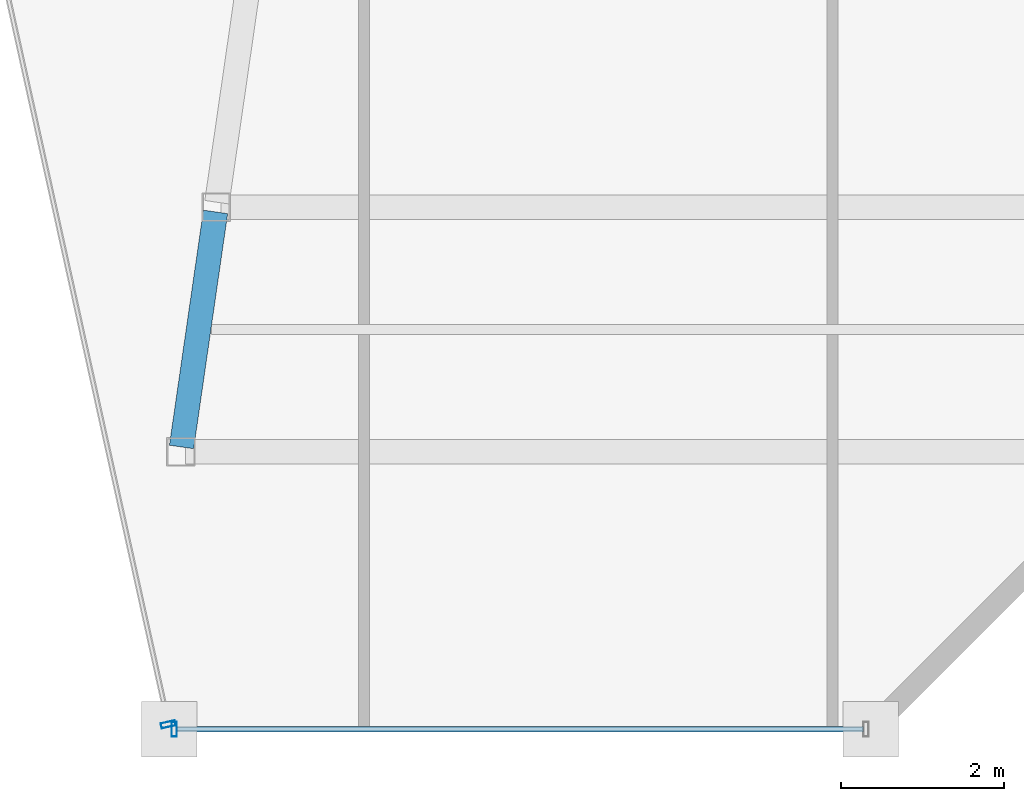
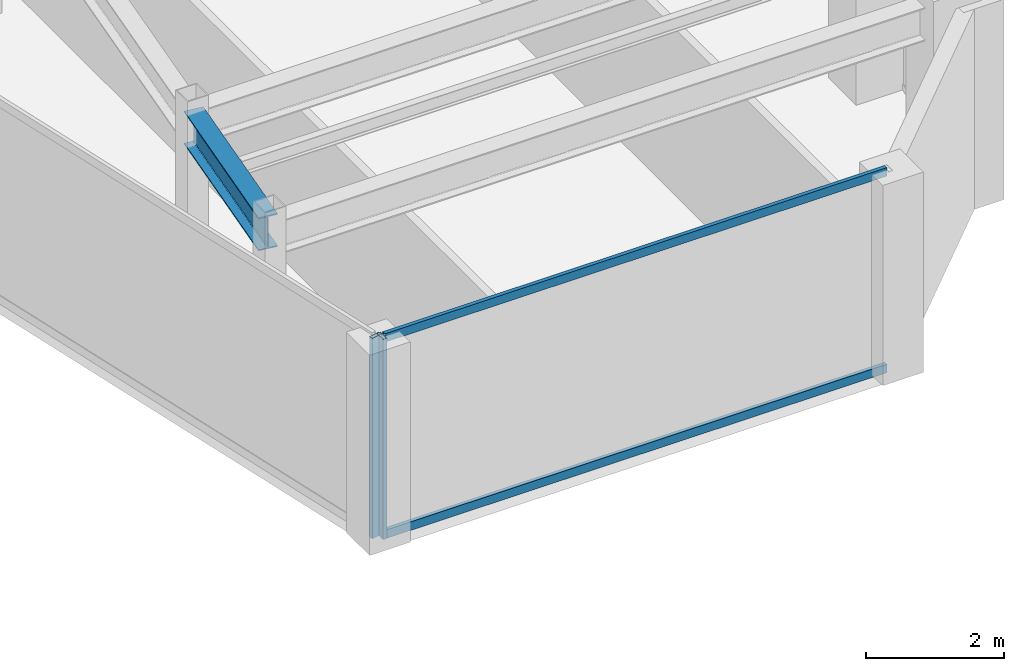
# One storey, part 12 of 32: 4 members, 1 beam, 2 elements without a shape of their own.
"""IFC4 building model written with IfcOpenShell, lengths in metres."""

from ifc_helpers import new_model, si_unit, direction, frame, origin, origin_2d, place, context, subcontext, project, spatial, hollow_rectangle, i_section, extrude, material, material_profile, profile_set, type_object, element, aggregate, save


model = new_model("IFC4")

# Units and contexts
model_context = context("Model", 3, precision=1e-05, world=origin(), true_north=direction((0.0, 1.0)))
body_context = subcontext(model_context, "Body", "Model", "MODEL_VIEW")
ifc_project = project(units=[si_unit("LENGTHUNIT", "METRE"), si_unit("AREAUNIT", "SQUARE_METRE"), si_unit("VOLUMEUNIT", "CUBIC_METRE"), si_unit("PLANEANGLEUNIT", "RADIAN"), si_unit("MASSUNIT", "GRAM", prefix="KILO")], contexts=[model_context])

# Site, building, storey
site_placement = place(None, origin())
site = spatial("IfcSite", under=ifc_project, at=site_placement, CompositionType="ELEMENT")
building_placement = place(site_placement, origin())
building = spatial("IfcBuilding", under=site, at=building_placement, Name="Saevonmaru Cultural Tower", CompositionType="ELEMENT")
storey_placement = place(building_placement, frame((0.0, 0.0, 245.800048828125)))
storey = spatial("IfcBuildingStorey", under=building, at=storey_placement, Name="L57", CompositionType="ELEMENT", Elevation=245.800048828125)

# Beam
ifc_material_1 = material(Name="Steel SM355", Category="steel")
ifc_material_profile_1 = material_profile(ifc_material_1, i_section(OverallWidth=0.300048828125, OverallDepth=0.587890625, WebThickness=0.011962890625, FlangeThickness=0.02001953125, FilletRadius=0.02392578125, at=origin_2d()), Name="H-588x300x12x20")
ifc_profile_set_1 = profile_set([ifc_material_profile_1], Name="Steel SM355")
beam_type = type_object("IfcBeamType", Name="BM-G-H588", PredefinedType="BEAM", material=ifc_profile_set_1)
beam_placement = place(storey_placement, frame((38.802490234375, 21.059326171875, 3.255859375), z_axis=(0.143229094195, 0.989689560709, 0.0), x_axis=(-0.989689560709, 0.143229094195, 0.0)))
element("IfcBeam", 1, at=beam_placement, inside=storey, type_object=beam_type, Name="L57 East Atrium Girder 1", PredefinedType="BEAM", context=body_context, shape_type="SweptSolid", body=[
    extrude(i_section(OverallWidth=0.300048828125, OverallDepth=0.587890625, WebThickness=0.011962890625, FlangeThickness=0.02001953125, FilletRadius=0.02392578125, at=origin_2d()), origin(), (0.0, 0.0, 1.0), 2.911376953125),
])

# Curtain wall, member
ifc_material_2 = material(Name="Satin Bronze Anodised Aluminium", Category="aluminium")
curtain_wall_type = type_object("IfcCurtainWallType", Name="CW-TYP-B", PredefinedType="NOTDEFINED", material=ifc_material_2)
curtain_wall_1_placement = place(storey_placement, origin())
curtain_wall_1 = element("IfcCurtainWall", 2, at=curtain_wall_1_placement, inside=storey, type_object=curtain_wall_type, Name="L57 Unitised Curtain Wall E5", PredefinedType="NOTDEFINED")
ifc_material_profile_2 = material_profile(ifc_material_2, hollow_rectangle(XDim=0.06494140625, YDim=0.179931640625, WallThickness=0.00390625, at=origin_2d()), Name="ALU-MULL-180x65x4")
ifc_profile_set_2 = profile_set([ifc_material_profile_2], Name="Satin Bronze Anodised Aluminium")
member_type_1 = type_object("IfcMemberType", Name="ML-CW-180x65", PredefinedType="MULLION", material=ifc_profile_set_2)
member_1_placement = place(storey_placement, frame((38.640380859375, 17.65869140625, 0.0), z_axis=(0.0, 0.0, 1.0), x_axis=(0.215413319953, -0.976522965212, 0.0)))
member_1 = element("IfcMember", 3, at=member_1_placement, type_object=member_type_1, Name="CW-TW-L57-E5 mullion 2", PredefinedType="MULLION", context=body_context, shape_type="SweptSolid", body=[
    extrude(hollow_rectangle(XDim=0.06494140625, YDim=0.179931640625, WallThickness=0.00390625, at=origin_2d()), origin(), (0.0, 0.0, 1.0), 3.550048828125),
])
aggregate(curtain_wall_1, [member_1])

# Curtain wall, members
curtain_wall_2_placement = place(storey_placement, origin())
curtain_wall_2 = element("IfcCurtainWall", 4, at=curtain_wall_2_placement, inside=storey, type_object=curtain_wall_type, Name="L57 Unitised Curtain Wall E6", PredefinedType="NOTDEFINED")
member_2_placement = place(storey_placement, frame((38.71337890625, 17.60009765625, 0.0), z_axis=(0.0, 0.0, 1.0), x_axis=(1.0, 0.0, 0.0)))
member_2 = element("IfcMember", 5, at=member_2_placement, type_object=member_type_1, Name="CW-TW-L57-E6 mullion 1", PredefinedType="MULLION", context=body_context, shape_type="SweptSolid", body=[
    extrude(hollow_rectangle(XDim=0.06494140625, YDim=0.179931640625, WallThickness=0.00390625, at=origin_2d()), origin(), (0.0, 0.0, 1.0), 3.550048828125),
])
ifc_material_profile_3 = material_profile(ifc_material_2, hollow_rectangle(XDim=0.06494140625, YDim=0.14990234375, WallThickness=0.00390625, at=origin_2d()), Name="ALU-TRAN-150x65x4")
ifc_profile_set_3 = profile_set([ifc_material_profile_3], Name="Satin Bronze Anodised Aluminium")
member_type_2 = type_object("IfcMemberType", Name="TR-CW-150x65", PredefinedType="USERDEFINED", material=ifc_profile_set_3)
member_3_placement = place(storey_placement, frame((38.745849609375, 17.60009765625, 0.032470703125), z_axis=(1.0, 0.0, 0.0), x_axis=(0.0, 1.0, 0.0)))
member_3 = element("IfcMember", 6, at=member_3_placement, type_object=member_type_2, Name="CW-TW-L57-E6 transom 1.1", ObjectType="TRANSOM", PredefinedType="USERDEFINED", context=body_context, shape_type="SweptSolid", body=[
    extrude(hollow_rectangle(XDim=0.06494140625, YDim=0.14990234375, WallThickness=0.00390625, at=origin_2d()), origin(), (0.0, 0.0, 1.0), 8.4150390625),
])
member_4_placement = place(storey_placement, frame((38.745849609375, 17.60009765625, 3.517333984375), z_axis=(1.0, 0.0, 0.0), x_axis=(0.0, 1.0, 0.0)))
member_4 = element("IfcMember", 7, at=member_4_placement, type_object=member_type_2, Name="CW-TW-L57-E6 transom 1.2", ObjectType="TRANSOM", PredefinedType="USERDEFINED", context=body_context, shape_type="SweptSolid", body=[
    extrude(hollow_rectangle(XDim=0.06494140625, YDim=0.14990234375, WallThickness=0.00390625, at=origin_2d()), origin(), (0.0, 0.0, 1.0), 8.4150390625),
])
aggregate(curtain_wall_2, [member_2, member_3, member_4])

save(model, "model.ifc")
